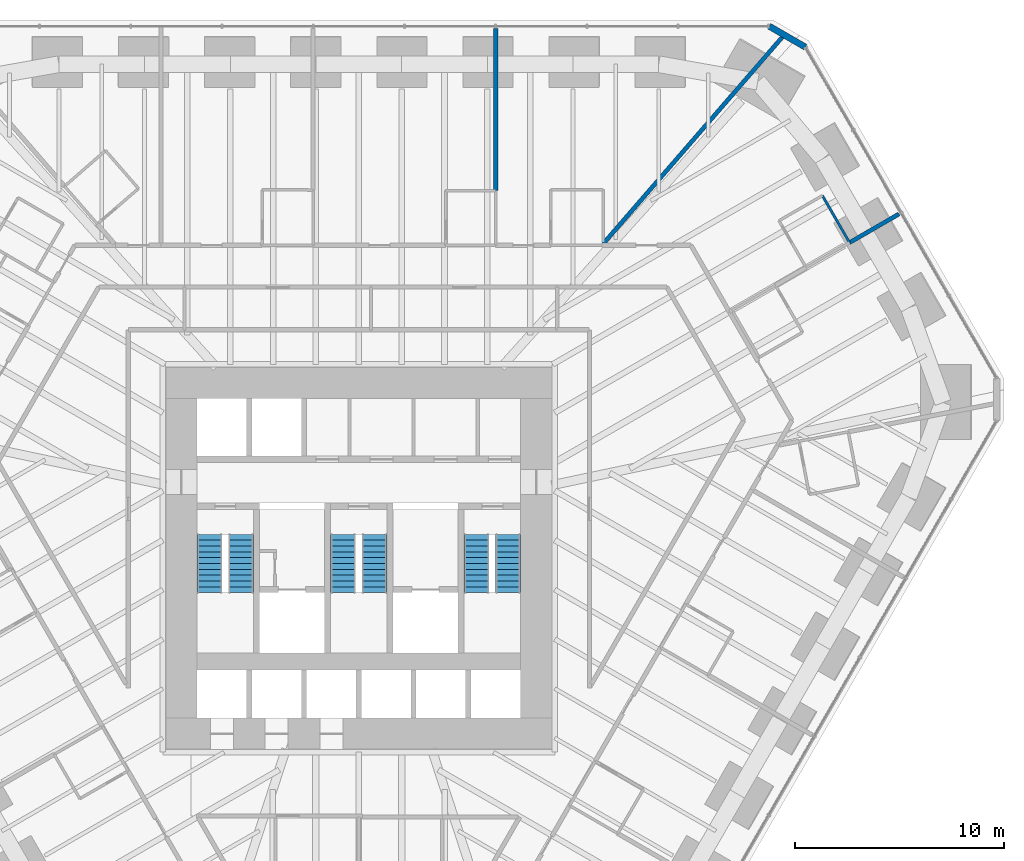
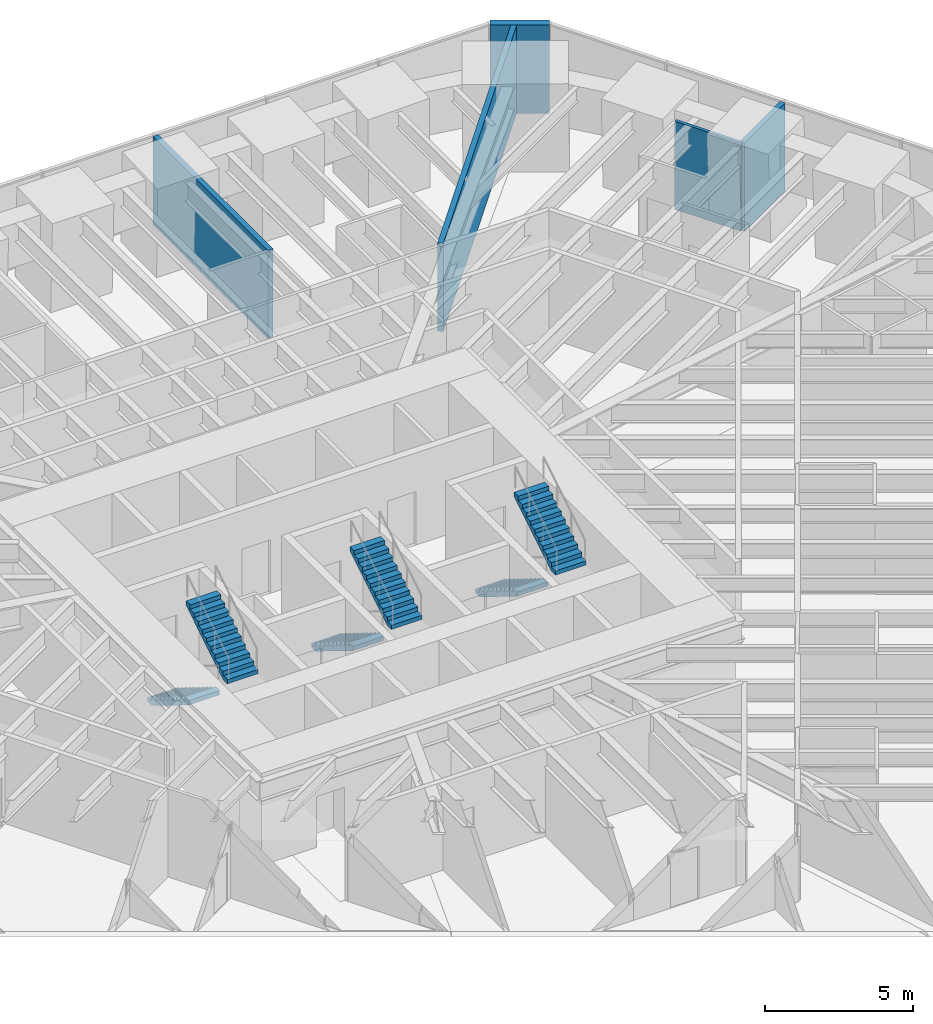
# One storey, part 16 of 17: 6 stair flights, 5 walls, 3 elements without a shape of their own.
"""IFC4 building model written with IfcOpenShell, lengths in metres."""

import ifcopenshell
import ifcopenshell.guid

model = None  # the IFC model being written
_history = None  # IfcOwnerHistory: only IFC2X3 demands one
_inside = {}  # id of a spatial element -> (the spatial element, [elements in it])
_under = {}  # id of a project, library or spatial element -> (it, [spatial elements below it])
_declared = {}  # id of a project -> (the project, [libraries it declares])
_typed = {}  # id of a type object -> (the type object, [elements of that type])
_made_of = {}  # id of a material, layer set ... -> (it, [elements and type objects made of it])


def new_model(schema):
    """Start an empty IFC model of exactly this schema.

    Asked for "IFC4X3", IfcOpenShell would pick the latest addendum, in which some entities
    have other attributes; the version numbers below select the first issue.
    IFC2X3 requires an IfcOwnerHistory on every rooted entity: one is made here for all.
    """
    global model, _history
    if schema == "IFC4X3":
        model = ifcopenshell.file(schema_version=(4, 3, 0, 0))
    else:
        model = ifcopenshell.file(schema=schema)
    _inside.clear()
    _under.clear()
    _declared.clear()
    _typed.clear()
    _made_of.clear()
    _history = None
    if model.schema == "IFC2X3":
        org = make("IfcOrganization", Name="unknown")
        user = make(
            "IfcPersonAndOrganization",
            ThePerson=make("IfcPerson", FamilyName="unknown"),
            TheOrganization=org,
        )
        app = make(
            "IfcApplication",
            ApplicationDeveloper=org,
            Version="unknown",
            ApplicationFullName="unknown",
            ApplicationIdentifier="unknown",
        )
        _history = make(
            "IfcOwnerHistory",
            OwningUser=user,
            OwningApplication=app,
            ChangeAction="ADDED",
            CreationDate=0,
        )
    return model


def make(cls, **values):
    """One entity of the class cls with the attributes given. An attribute that is None is left unset."""
    return model.create_entity(
        cls, **{name: value for name, value in values.items() if value is not None}
    )


def rooted(cls, **values):
    """An entity with a GlobalId (a new one), such as an element, a storey or a relation."""
    return make(cls, GlobalId=ifcopenshell.guid.new(), OwnerHistory=_history, **values)


def si_unit(unit_type, name, prefix=None):
    """IfcSIUnit, for example si_unit("LENGTHUNIT", "METRE", prefix="MILLI")."""
    return make("IfcSIUnit", UnitType=unit_type, Prefix=prefix, Name=name)


def assignment(units):
    """IfcUnitAssignment: the units of a project."""
    return None if units is None else make("IfcUnitAssignment", Units=units)


def point(xyz):
    """IfcCartesianPoint."""
    return None if xyz is None else make("IfcCartesianPoint", Coordinates=xyz)


def direction(xyz):
    """IfcDirection."""
    return None if xyz is None else make("IfcDirection", DirectionRatios=xyz)


def frame(location, z_axis=None, x_axis=None):
    """IfcAxis2Placement3D, a coordinate frame: its origin and axes. An axis left out is left unset."""
    return make(
        "IfcAxis2Placement3D",
        Location=point(location),
        Axis=direction(z_axis),
        RefDirection=direction(x_axis),
    )


def frame_2d(location, x_axis=None):
    """IfcAxis2Placement2D, a coordinate frame in the plane: its origin and x axis."""
    return make(
        "IfcAxis2Placement2D", Location=point(location), RefDirection=direction(x_axis)
    )


def origin():
    """The frame at (0, 0, 0) with its axes left unset."""
    return frame((0.0, 0.0, 0.0))


def place(relative_to, where):
    """IfcLocalPlacement: puts the frame where relative to a parent placement (None: the world)."""
    return make(
        "IfcLocalPlacement", PlacementRelTo=relative_to, RelativePlacement=where
    )


def context(
    kind, dimensions, precision=None, world=None, true_north=None, identifier=None
):
    """IfcGeometricRepresentationContext, for example the 3D "Model" context."""
    return make(
        "IfcGeometricRepresentationContext",
        ContextIdentifier=identifier,
        ContextType=kind,
        CoordinateSpaceDimension=dimensions,
        Precision=precision,
        WorldCoordinateSystem=world,
        TrueNorth=true_north,
    )


def subcontext(parent, identifier, kind, view, scale=None):
    """IfcGeometricRepresentationSubContext, for example "Body" below "Model"."""
    return make(
        "IfcGeometricRepresentationSubContext",
        ContextIdentifier=identifier,
        ContextType=kind,
        ParentContext=parent,
        TargetScale=scale,
        TargetView=view,
    )


def project(units=None, contexts=None):
    """IfcProject with its units and contexts."""
    return rooted(
        "IfcProject",
        Name="project",
        RepresentationContexts=contexts,
        UnitsInContext=assignment(units),
    )


def spatial(cls, under=None, at=None, **own):
    """A site, building, storey or space (cls), placed at a placement, below another one or the project."""
    s = rooted(cls, ObjectPlacement=at, **own)
    if under is not None:
        _under.setdefault(under.id(), (under, []))[1].append(s)
    return s


def polyline(points):
    """IfcPolyline through the points."""
    return make("IfcPolyline", Points=[point(p) for p in points])


def profile(cls, at=None, kind="AREA", **sizes):
    """A parametric profile (cls). Its sizes go by their IFC names, for example OverallWidth=200.0."""
    return make(cls, ProfileType=kind, Position=at, **sizes)


def rectangle(**sizes):
    """IfcRectangleProfileDef."""
    return profile("IfcRectangleProfileDef", **sizes)


def outline(outer, holes=None, kind="AREA"):
    """IfcArbitraryClosedProfileDef: a profile drawn as a closed curve; with holes, ...WithVoids."""
    if holes is None:
        return make("IfcArbitraryClosedProfileDef", ProfileType=kind, OuterCurve=outer)
    return make(
        "IfcArbitraryProfileDefWithVoids",
        ProfileType=kind,
        OuterCurve=outer,
        InnerCurves=holes,
    )


def extrude(swept, where, along, depth):
    """IfcExtrudedAreaSolid: the profile swept, set in the frame where, extruded along a direction by depth."""
    return make(
        "IfcExtrudedAreaSolid",
        SweptArea=swept,
        Position=where,
        ExtrudedDirection=direction(along),
        Depth=depth,
    )


def shape(context_of_items, identifier, shape_type, items):
    """IfcShapeRepresentation: the items that make up one representation, for example the "Body"."""
    return make(
        "IfcShapeRepresentation",
        ContextOfItems=context_of_items,
        RepresentationIdentifier=identifier,
        RepresentationType=shape_type,
        Items=items,
    )


def material(Name=None, Category=None):
    """IfcMaterial."""
    return make("IfcMaterial", Name=Name, Category=Category)


def layer(
    of_material, thickness, ventilated=None, Name=None, Category=None, Priority=None
):
    """IfcMaterialLayer: one layer of a wall or slab, of a material (None: an air gap)."""
    return make(
        "IfcMaterialLayer",
        Material=of_material,
        LayerThickness=thickness,
        IsVentilated=ventilated,
        Name=Name,
        Category=Category,
        Priority=Priority,
    )


def layer_set(layers, Name=None):
    """IfcMaterialLayerSet."""
    return make("IfcMaterialLayerSet", MaterialLayers=layers, LayerSetName=Name)


def made_of(thing, what):
    """Note that an element or type object is made of a material, layer set ...; save() writes the relation."""
    if what is not None:
        _made_of.setdefault(what.id(), (what, []))[1].append(thing)
    return thing


def type_object(cls, material=None, **own):
    """A type object (cls), such as IfcWallType, which elements share."""
    return made_of(rooted(cls, **own), material)


def element(
    cls,
    number,
    at=None,
    inside=None,
    cuts=None,
    type_object=None,
    material=None,
    context=None,
    identifier="Body",
    shape_type=None,
    held_by="IfcProductDefinitionShape",
    body=None,
    shapes=None,
    **own,
):
    """One element of the class cls, such as IfcWall. Its Tag is "e" and its number.

    at: its placement. inside: the storey or other place that contains it. cuts: it is an
    opening in that element (IfcRelVoidsElement). A single representation is given by context,
    identifier, shape_type and body (its items); several are given by shapes. held_by: the class
    of the entity that holds the representations. save() writes the other relations.
    """
    e = rooted(cls, Tag="e%d" % number, ObjectPlacement=at, **own)
    if body is not None:
        shapes = [shape(context, identifier, shape_type, body)]
    if shapes is not None:
        e.Representation = make(held_by, Representations=shapes)
    if inside is not None:
        _inside.setdefault(inside.id(), (inside, []))[1].append(e)
    if cuts is not None:
        rooted(
            "IfcRelVoidsElement", RelatingBuildingElement=cuts, RelatedOpeningElement=e
        )
    if type_object is not None:
        _typed.setdefault(type_object.id(), (type_object, []))[1].append(e)
    return made_of(e, material)


def aggregate(whole, parts):
    """IfcRelAggregates: a whole, such as a stair, and the parts it consists of."""
    return rooted("IfcRelAggregates", RelatingObject=whole, RelatedObjects=parts)


def save(model, path):
    """Write the relations noted so far, then the file.

    IfcRelAggregates (storeys below a building ...), IfcRelContainedInSpatialStructure (elements
    in a storey), IfcRelDefinesByType, IfcRelAssociatesMaterial and IfcRelDeclares: one each for
    every whole, place, type object, material and project.
    """
    for whole, parts in _under.values():
        aggregate(whole, parts)
    for where, things in _inside.values():
        rooted(
            "IfcRelContainedInSpatialStructure",
            RelatedElements=things,
            RelatingStructure=where,
        )
    for kind, things in _typed.values():
        rooted("IfcRelDefinesByType", RelatedObjects=things, RelatingType=kind)
    for what, things in _made_of.values():
        rooted("IfcRelAssociatesMaterial", RelatedObjects=things, RelatingMaterial=what)
    for by, libraries in _declared.values():
        rooted("IfcRelDeclares", RelatingContext=by, RelatedDefinitions=libraries)
    model.write(path)


model = new_model("IFC4")

# Units and contexts
model_context = context("Model", 3, precision=1e-05, world=origin(), true_north=direction((0.0, 1.0)))
body_context = subcontext(model_context, "Body", "Model", "MODEL_VIEW")
ifc_project = project(units=[si_unit("LENGTHUNIT", "METRE"), si_unit("AREAUNIT", "SQUARE_METRE"), si_unit("VOLUMEUNIT", "CUBIC_METRE"), si_unit("PLANEANGLEUNIT", "RADIAN"), si_unit("MASSUNIT", "GRAM", prefix="KILO")], contexts=[model_context])

# Site, building, storey
site_placement = place(None, origin())
site = spatial("IfcSite", under=ifc_project, at=site_placement, CompositionType="ELEMENT")
building_placement = place(site_placement, origin())
building = spatial("IfcBuilding", under=site, at=building_placement, Name="Sandreach Pilgrim Tower", CompositionType="ELEMENT")
storey_placement = place(building_placement, frame((0.0, 0.0, 68.60009765625)))
storey = spatial("IfcBuildingStorey", under=building, at=storey_placement, Name="L16", CompositionType="ELEMENT", Elevation=68.60009765625)

# Walls
ifc_material_1 = material(Name="Moisture-resistant gypsum board on steel studs", Category="steel")
ifc_layer_1 = layer(ifc_material_1, 0.1201171875)
ifc_layer_set_1 = layer_set([ifc_layer_1], Name="Bathroom partition 120")
wall_type_1 = type_object("IfcWallType", Name="Bathroom partition 120", PredefinedType="PARTITIONING", material=ifc_layer_set_1)
wall_1_placement = place(storey_placement, frame((23.52001953125, 13.580078125, 0.0), z_axis=(0.0, 0.0, 1.0), x_axis=(-0.500291685314, 0.865856933682, 0.0)))
element("IfcWall", 1, at=wall_1_placement, inside=storey, type_object=wall_type_1, Name="Bathroom partition L16-162", PredefinedType="PARTITIONING", context=body_context, shape_type="SweptSolid", body=[
    extrude(rectangle(XDim=2.5986328125, YDim=0.1201171875, at=frame_2d((1.29931640625, 0.0))), origin(), (0.0, 0.0, 1.0), 3.639892578125),
])
ifc_material_2 = material(Name="Double steel stud acoustic wall, gypsum board", Category="steel")
ifc_layer_2 = layer(ifc_material_2, 0.199951171875)
ifc_layer_set_2 = layer_set([ifc_layer_2], Name="Party wall 200")
wall_type_2 = type_object("IfcWallType", Name="Party wall 200", PredefinedType="PARTITIONING", material=ifc_layer_set_2)
wall_2_placement = place(storey_placement, frame((6.56005859375, 23.830078125, 0.0), z_axis=(0.0, 0.0, 1.0), x_axis=(0.0, -1.0, 0.0)))
element("IfcWall", 2, at=wall_2_placement, inside=storey, type_object=wall_type_2, Name="Party wall L16-107", PredefinedType="PARTITIONING", context=body_context, shape_type="SweptSolid", body=[
    extrude(rectangle(XDim=7.760009765625, YDim=0.199951171875, at=frame_2d((3.8798828125, 0.0))), origin(), (0.0, 0.0, 1.0), 3.639892578125),
])
wall_3_placement = place(storey_placement, frame((11.72509765625, 13.536865234375, 0.0), z_axis=(0.0, 0.0, 1.0), x_axis=(0.654910189761, 0.755706717813, 0.0)))
element("IfcWall", 3, at=wall_3_placement, inside=storey, type_object=wall_type_2, Name="Party wall L16-131", PredefinedType="PARTITIONING", context=body_context, shape_type="SweptSolid", body=[
    extrude(rectangle(XDim=13.24658203125, YDim=0.199951171875, at=frame_2d((6.623291015625, 0.0))), origin(), (0.0, 0.0, 1.0), 3.639892578125),
])
wall_4_placement = place(storey_placement, frame((23.52001953125, 13.580078125, 0.0), z_axis=(0.0, 0.0, 1.0), x_axis=(0.865432398871, 0.501025710902, 0.0)))
element("IfcWall", 4, at=wall_4_placement, inside=storey, type_object=wall_type_2, Name="Party wall L16-163", PredefinedType="PARTITIONING", context=body_context, shape_type="SweptSolid", body=[
    extrude(rectangle(XDim=2.734130859375, YDim=0.199951171875, at=frame_2d((1.3671875, 0.0))), origin(), (0.0, 0.0, 1.0), 3.639892578125),
])
ifc_material_3 = material(Name="Terracotta rainscreen on concrete", Category="masonry")
ifc_layer_3 = layer(ifc_material_3, 0.300048828125)
ifc_layer_set_3 = layer_set([ifc_layer_3], Name="Terracotta chamfer pier")
wall_type_3 = type_object("IfcWallType", Name="Terracotta chamfer pier", PredefinedType="SOLIDWALL", material=ifc_layer_set_3)
wall_5_placement = place(storey_placement, frame((19.672119140625, 23.94873046875, 0.0), z_axis=(0.0, 0.0, 1.0), x_axis=(0.866010750942, -0.50002537861, 0.0)))
element("IfcWall", 5, at=wall_5_placement, inside=storey, type_object=wall_type_3, Name="Chamfer pier L16 N", PredefinedType="SOLIDWALL", context=body_context, shape_type="SweptSolid", body=[
    extrude(rectangle(XDim=2.0, YDim=0.300048828125, at=frame_2d((1.0, 0.0))), origin(), (0.0, 0.0, 1.0), 3.639892578125),
])

# Stair, stair flights
ifc_material_4 = material(Name="Concrete 8000 psi", Category="concrete")
stair_type = type_object("IfcStairType", Name="Core exit stair", PredefinedType="HALF_TURN_STAIR", material=ifc_material_4)
stair_1_placement = place(storey_placement, origin())
stair_1 = element("IfcStair", 6, at=stair_1_placement, inside=storey, type_object=stair_type, Name="Exit stair ST1 L16", PredefinedType="HALF_TURN_STAIR")
ifc_material_5 = material(Name="Concrete 8000 psi", Category="concrete")
stair_flight_type = type_object("IfcStairFlightType", Name="Core stair flight 1200", PredefinedType="STRAIGHT", material=ifc_material_5)
stair_flight_1_placement = place(storey_placement, frame((-7.14990234375, -0.39990234375, 0.0), z_axis=(0.0, 0.0, 1.0), x_axis=(0.0, -1.0, 0.0)))
stair_flight_1 = element("IfcStairFlight", 7, at=stair_flight_1_placement, type_object=stair_flight_type, Name="ST1 flight 1", NumberOfRisers=11, NumberOfTreads=10, PredefinedType="STRAIGHT", RiserHeight=0.172727273, TreadLength=0.28, context=body_context, shape_type="SweptSolid", body=[
    extrude(outline(polyline([(0.0, 0.0), (0.0, 0.172607421875), (0.280029296875, 0.172607421875), (0.280029296875, 0.345458984375), (0.56005859375, 0.345458984375), (0.56005859375, 0.51806640625), (0.840087890625, 0.51806640625), (0.840087890625, 0.69091796875), (1.1201171875, 0.69091796875), (1.1201171875, 0.863525390625), (1.39990234375, 0.863525390625), (1.39990234375, 1.036376953125), (1.679931640625, 1.036376953125), (1.679931640625, 1.208984375), (1.9599609375, 1.208984375), (1.9599609375, 1.3818359375), (2.239990234375, 1.3818359375), (2.239990234375, 1.554443359375), (2.52001953125, 1.554443359375), (2.52001953125, 1.727294921875), (2.800048828125, 1.727294921875), (2.800048828125, 1.89990234375), (2.800048828125, 1.551025390625), (0.285400390625, 0.0), (0.0, 0.0)])), frame((0.0, 0.60009765625, 0.0), z_axis=(0.0, -1.0, 0.0), x_axis=(1.0, 0.0, 0.0)), (0.0, 0.0, 1.0), 1.199951171875),
])
stair_flight_2_placement = place(storey_placement, frame((-5.64990234375, -3.199951171875, 1.89990234375), z_axis=(0.0, 0.0, 1.0), x_axis=(0.0, 1.0, 0.0)))
stair_flight_2 = element("IfcStairFlight", 8, at=stair_flight_2_placement, type_object=stair_flight_type, Name="ST1 flight 2", NumberOfRisers=11, NumberOfTreads=10, PredefinedType="STRAIGHT", RiserHeight=0.172727273, TreadLength=0.28, context=body_context, shape_type="SweptSolid", body=[
    extrude(outline(polyline([(0.0, 0.0), (0.0, 0.172607421875), (0.280029296875, 0.172607421875), (0.280029296875, 0.345458984375), (0.56005859375, 0.345458984375), (0.56005859375, 0.51806640625), (0.840087890625, 0.51806640625), (0.840087890625, 0.69091796875), (1.1201171875, 0.69091796875), (1.1201171875, 0.863525390625), (1.39990234375, 0.863525390625), (1.39990234375, 1.036376953125), (1.679931640625, 1.036376953125), (1.679931640625, 1.208984375), (1.9599609375, 1.208984375), (1.9599609375, 1.3818359375), (2.239990234375, 1.3818359375), (2.239990234375, 1.554443359375), (2.52001953125, 1.554443359375), (2.52001953125, 1.727294921875), (2.800048828125, 1.727294921875), (2.800048828125, 1.89990234375), (2.800048828125, 1.551025390625), (0.285400390625, 0.0), (0.0, 0.0)])), frame((0.0, 0.60009765625, 0.0), z_axis=(0.0, -1.0, 0.0), x_axis=(1.0, 0.0, 0.0)), (0.0, 0.0, 1.0), 1.199951171875),
])
aggregate(stair_1, [stair_flight_1, stair_flight_2])

stair_2_placement = place(storey_placement, origin())
stair_2 = element("IfcStair", 9, at=stair_2_placement, inside=storey, type_object=stair_type, Name="Exit stair ST3 L16", PredefinedType="HALF_TURN_STAIR")
stair_flight_3_placement = place(storey_placement, frame((-0.75, -0.39990234375, 0.0), z_axis=(0.0, 0.0, 1.0), x_axis=(0.0, -1.0, 0.0)))
stair_flight_3 = element("IfcStairFlight", 10, at=stair_flight_3_placement, type_object=stair_flight_type, Name="ST3 flight 1", NumberOfRisers=11, NumberOfTreads=10, PredefinedType="STRAIGHT", RiserHeight=0.172727273, TreadLength=0.28, context=body_context, shape_type="SweptSolid", body=[
    extrude(outline(polyline([(0.0, 0.0), (0.0, 0.172607421875), (0.280029296875, 0.172607421875), (0.280029296875, 0.345458984375), (0.56005859375, 0.345458984375), (0.56005859375, 0.51806640625), (0.840087890625, 0.51806640625), (0.840087890625, 0.69091796875), (1.1201171875, 0.69091796875), (1.1201171875, 0.863525390625), (1.39990234375, 0.863525390625), (1.39990234375, 1.036376953125), (1.679931640625, 1.036376953125), (1.679931640625, 1.208984375), (1.9599609375, 1.208984375), (1.9599609375, 1.3818359375), (2.239990234375, 1.3818359375), (2.239990234375, 1.554443359375), (2.52001953125, 1.554443359375), (2.52001953125, 1.727294921875), (2.800048828125, 1.727294921875), (2.800048828125, 1.89990234375), (2.800048828125, 1.551025390625), (0.285400390625, 0.0), (0.0, 0.0)])), frame((0.0, 0.60009765625, 0.0), z_axis=(0.0, -1.0, 0.0), x_axis=(1.0, 0.0, 0.0)), (0.0, 0.0, 1.0), 1.199951171875),
])
stair_flight_4_placement = place(storey_placement, frame((0.75, -3.199951171875, 1.89990234375), z_axis=(0.0, 0.0, 1.0), x_axis=(0.0, 1.0, 0.0)))
stair_flight_4 = element("IfcStairFlight", 11, at=stair_flight_4_placement, type_object=stair_flight_type, Name="ST3 flight 2", NumberOfRisers=11, NumberOfTreads=10, PredefinedType="STRAIGHT", RiserHeight=0.172727273, TreadLength=0.28, context=body_context, shape_type="SweptSolid", body=[
    extrude(outline(polyline([(0.0, 0.0), (0.0, 0.172607421875), (0.280029296875, 0.172607421875), (0.280029296875, 0.345458984375), (0.56005859375, 0.345458984375), (0.56005859375, 0.51806640625), (0.840087890625, 0.51806640625), (0.840087890625, 0.69091796875), (1.1201171875, 0.69091796875), (1.1201171875, 0.863525390625), (1.39990234375, 0.863525390625), (1.39990234375, 1.036376953125), (1.679931640625, 1.036376953125), (1.679931640625, 1.208984375), (1.9599609375, 1.208984375), (1.9599609375, 1.3818359375), (2.239990234375, 1.3818359375), (2.239990234375, 1.554443359375), (2.52001953125, 1.554443359375), (2.52001953125, 1.727294921875), (2.800048828125, 1.727294921875), (2.800048828125, 1.89990234375), (2.800048828125, 1.551025390625), (0.285400390625, 0.0), (0.0, 0.0)])), frame((0.0, 0.60009765625, 0.0), z_axis=(0.0, -1.0, 0.0), x_axis=(1.0, 0.0, 0.0)), (0.0, 0.0, 1.0), 1.199951171875),
])
aggregate(stair_2, [stair_flight_3, stair_flight_4])

stair_3_placement = place(storey_placement, origin())
stair_3 = element("IfcStair", 12, at=stair_3_placement, inside=storey, type_object=stair_type, Name="Exit stair ST2 L16", PredefinedType="HALF_TURN_STAIR")
stair_flight_5_placement = place(storey_placement, frame((5.64990234375, -0.39990234375, 0.0), z_axis=(0.0, 0.0, 1.0), x_axis=(0.0, -1.0, 0.0)))
stair_flight_5 = element("IfcStairFlight", 13, at=stair_flight_5_placement, type_object=stair_flight_type, Name="ST2 flight 1", NumberOfRisers=11, NumberOfTreads=10, PredefinedType="STRAIGHT", RiserHeight=0.172727273, TreadLength=0.28, context=body_context, shape_type="SweptSolid", body=[
    extrude(outline(polyline([(0.0, 0.0), (0.0, 0.172607421875), (0.280029296875, 0.172607421875), (0.280029296875, 0.345458984375), (0.56005859375, 0.345458984375), (0.56005859375, 0.51806640625), (0.840087890625, 0.51806640625), (0.840087890625, 0.69091796875), (1.1201171875, 0.69091796875), (1.1201171875, 0.863525390625), (1.39990234375, 0.863525390625), (1.39990234375, 1.036376953125), (1.679931640625, 1.036376953125), (1.679931640625, 1.208984375), (1.9599609375, 1.208984375), (1.9599609375, 1.3818359375), (2.239990234375, 1.3818359375), (2.239990234375, 1.554443359375), (2.52001953125, 1.554443359375), (2.52001953125, 1.727294921875), (2.800048828125, 1.727294921875), (2.800048828125, 1.89990234375), (2.800048828125, 1.551025390625), (0.285400390625, 0.0), (0.0, 0.0)])), frame((0.0, 0.60009765625, 0.0), z_axis=(0.0, -1.0, 0.0), x_axis=(1.0, 0.0, 0.0)), (0.0, 0.0, 1.0), 1.199951171875),
])
stair_flight_6_placement = place(storey_placement, frame((7.14990234375, -3.199951171875, 1.89990234375), z_axis=(0.0, 0.0, 1.0), x_axis=(0.0, 1.0, 0.0)))
stair_flight_6 = element("IfcStairFlight", 14, at=stair_flight_6_placement, type_object=stair_flight_type, Name="ST2 flight 2", NumberOfRisers=11, NumberOfTreads=10, PredefinedType="STRAIGHT", RiserHeight=0.172727273, TreadLength=0.28, context=body_context, shape_type="SweptSolid", body=[
    extrude(outline(polyline([(0.0, 0.0), (0.0, 0.172607421875), (0.280029296875, 0.172607421875), (0.280029296875, 0.345458984375), (0.56005859375, 0.345458984375), (0.56005859375, 0.51806640625), (0.840087890625, 0.51806640625), (0.840087890625, 0.69091796875), (1.1201171875, 0.69091796875), (1.1201171875, 0.863525390625), (1.39990234375, 0.863525390625), (1.39990234375, 1.036376953125), (1.679931640625, 1.036376953125), (1.679931640625, 1.208984375), (1.9599609375, 1.208984375), (1.9599609375, 1.3818359375), (2.239990234375, 1.3818359375), (2.239990234375, 1.554443359375), (2.52001953125, 1.554443359375), (2.52001953125, 1.727294921875), (2.800048828125, 1.727294921875), (2.800048828125, 1.89990234375), (2.800048828125, 1.551025390625), (0.285400390625, 0.0), (0.0, 0.0)])), frame((0.0, 0.60009765625, 0.0), z_axis=(0.0, -1.0, 0.0), x_axis=(1.0, 0.0, 0.0)), (0.0, 0.0, 1.0), 1.199951171875),
])
aggregate(stair_3, [stair_flight_5, stair_flight_6])

save(model, "model.ifc")
